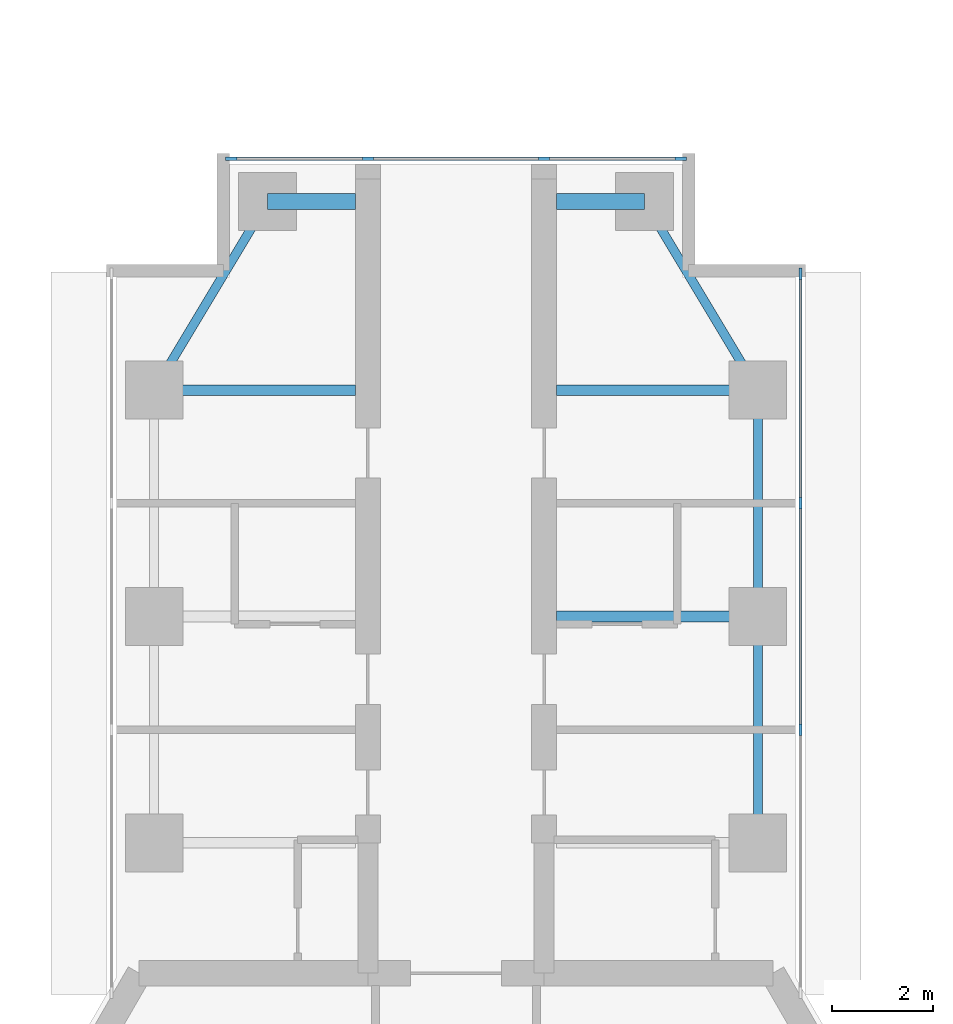
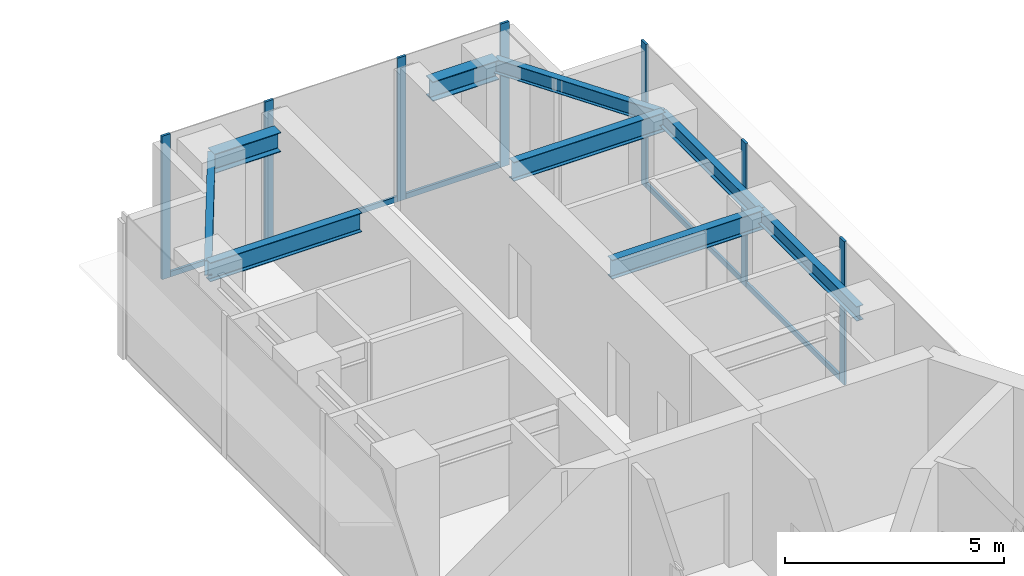
# One storey, part 9 of 17: 12 members, 9 beams, 2 elements without a shape of their own.
"""IFC4 building model written with IfcOpenShell, lengths in metres."""

import ifcopenshell
import ifcopenshell.guid

model = None  # the IFC model being written
_history = None  # IfcOwnerHistory: only IFC2X3 demands one
_inside = {}  # id of a spatial element -> (the spatial element, [elements in it])
_under = {}  # id of a project, library or spatial element -> (it, [spatial elements below it])
_declared = {}  # id of a project -> (the project, [libraries it declares])
_typed = {}  # id of a type object -> (the type object, [elements of that type])
_made_of = {}  # id of a material, layer set ... -> (it, [elements and type objects made of it])


def new_model(schema):
    """Start an empty IFC model of exactly this schema.

    Asked for "IFC4X3", IfcOpenShell would pick the latest addendum, in which some entities
    have other attributes; the version numbers below select the first issue.
    IFC2X3 requires an IfcOwnerHistory on every rooted entity: one is made here for all.
    """
    global model, _history
    if schema == "IFC4X3":
        model = ifcopenshell.file(schema_version=(4, 3, 0, 0))
    else:
        model = ifcopenshell.file(schema=schema)
    _inside.clear()
    _under.clear()
    _declared.clear()
    _typed.clear()
    _made_of.clear()
    _history = None
    if model.schema == "IFC2X3":
        org = make("IfcOrganization", Name="unknown")
        user = make(
            "IfcPersonAndOrganization",
            ThePerson=make("IfcPerson", FamilyName="unknown"),
            TheOrganization=org,
        )
        app = make(
            "IfcApplication",
            ApplicationDeveloper=org,
            Version="unknown",
            ApplicationFullName="unknown",
            ApplicationIdentifier="unknown",
        )
        _history = make(
            "IfcOwnerHistory",
            OwningUser=user,
            OwningApplication=app,
            ChangeAction="ADDED",
            CreationDate=0,
        )
    return model


def make(cls, **values):
    """One entity of the class cls with the attributes given. An attribute that is None is left unset."""
    return model.create_entity(
        cls, **{name: value for name, value in values.items() if value is not None}
    )


def rooted(cls, **values):
    """An entity with a GlobalId (a new one), such as an element, a storey or a relation."""
    return make(cls, GlobalId=ifcopenshell.guid.new(), OwnerHistory=_history, **values)


def si_unit(unit_type, name, prefix=None):
    """IfcSIUnit, for example si_unit("LENGTHUNIT", "METRE", prefix="MILLI")."""
    return make("IfcSIUnit", UnitType=unit_type, Prefix=prefix, Name=name)


def assignment(units):
    """IfcUnitAssignment: the units of a project."""
    return None if units is None else make("IfcUnitAssignment", Units=units)


def point(xyz):
    """IfcCartesianPoint."""
    return None if xyz is None else make("IfcCartesianPoint", Coordinates=xyz)


def direction(xyz):
    """IfcDirection."""
    return None if xyz is None else make("IfcDirection", DirectionRatios=xyz)


def frame(location, z_axis=None, x_axis=None):
    """IfcAxis2Placement3D, a coordinate frame: its origin and axes. An axis left out is left unset."""
    return make(
        "IfcAxis2Placement3D",
        Location=point(location),
        Axis=direction(z_axis),
        RefDirection=direction(x_axis),
    )


def frame_2d(location, x_axis=None):
    """IfcAxis2Placement2D, a coordinate frame in the plane: its origin and x axis."""
    return make(
        "IfcAxis2Placement2D", Location=point(location), RefDirection=direction(x_axis)
    )


def origin():
    """The frame at (0, 0, 0) with its axes left unset."""
    return frame((0.0, 0.0, 0.0))


def origin_2d():
    """The frame at (0, 0) in the plane with its x axis left unset."""
    return frame_2d((0.0, 0.0))


def place(relative_to, where):
    """IfcLocalPlacement: puts the frame where relative to a parent placement (None: the world)."""
    return make(
        "IfcLocalPlacement", PlacementRelTo=relative_to, RelativePlacement=where
    )


def context(
    kind, dimensions, precision=None, world=None, true_north=None, identifier=None
):
    """IfcGeometricRepresentationContext, for example the 3D "Model" context."""
    return make(
        "IfcGeometricRepresentationContext",
        ContextIdentifier=identifier,
        ContextType=kind,
        CoordinateSpaceDimension=dimensions,
        Precision=precision,
        WorldCoordinateSystem=world,
        TrueNorth=true_north,
    )


def subcontext(parent, identifier, kind, view, scale=None):
    """IfcGeometricRepresentationSubContext, for example "Body" below "Model"."""
    return make(
        "IfcGeometricRepresentationSubContext",
        ContextIdentifier=identifier,
        ContextType=kind,
        ParentContext=parent,
        TargetScale=scale,
        TargetView=view,
    )


def project(units=None, contexts=None):
    """IfcProject with its units and contexts."""
    return rooted(
        "IfcProject",
        Name="project",
        RepresentationContexts=contexts,
        UnitsInContext=assignment(units),
    )


def spatial(cls, under=None, at=None, **own):
    """A site, building, storey or space (cls), placed at a placement, below another one or the project."""
    s = rooted(cls, ObjectPlacement=at, **own)
    if under is not None:
        _under.setdefault(under.id(), (under, []))[1].append(s)
    return s


def profile(cls, at=None, kind="AREA", **sizes):
    """A parametric profile (cls). Its sizes go by their IFC names, for example OverallWidth=200.0."""
    return make(cls, ProfileType=kind, Position=at, **sizes)


def rectangle(**sizes):
    """IfcRectangleProfileDef."""
    return profile("IfcRectangleProfileDef", **sizes)


def i_section(**sizes):
    """IfcIShapeProfileDef."""
    return profile("IfcIShapeProfileDef", **sizes)


def extrude(swept, where, along, depth):
    """IfcExtrudedAreaSolid: the profile swept, set in the frame where, extruded along a direction by depth."""
    return make(
        "IfcExtrudedAreaSolid",
        SweptArea=swept,
        Position=where,
        ExtrudedDirection=direction(along),
        Depth=depth,
    )


def shape(context_of_items, identifier, shape_type, items):
    """IfcShapeRepresentation: the items that make up one representation, for example the "Body"."""
    return make(
        "IfcShapeRepresentation",
        ContextOfItems=context_of_items,
        RepresentationIdentifier=identifier,
        RepresentationType=shape_type,
        Items=items,
    )


def material(Name=None, Category=None):
    """IfcMaterial."""
    return make("IfcMaterial", Name=Name, Category=Category)


def material_profile(
    of_material, cross_section, Name=None, Category=None, Priority=None
):
    """IfcMaterialProfile: a cross section and its material."""
    return make(
        "IfcMaterialProfile",
        Name=Name,
        Material=of_material,
        Profile=cross_section,
        Priority=Priority,
        Category=Category,
    )


def profile_set(profiles, Name=None, composite=None):
    """IfcMaterialProfileSet."""
    return make(
        "IfcMaterialProfileSet",
        Name=Name,
        MaterialProfiles=profiles,
        CompositeProfile=composite,
    )


def made_of(thing, what):
    """Note that an element or type object is made of a material, layer set ...; save() writes the relation."""
    if what is not None:
        _made_of.setdefault(what.id(), (what, []))[1].append(thing)
    return thing


def type_object(cls, material=None, **own):
    """A type object (cls), such as IfcWallType, which elements share."""
    return made_of(rooted(cls, **own), material)


def element(
    cls,
    number,
    at=None,
    inside=None,
    cuts=None,
    type_object=None,
    material=None,
    context=None,
    identifier="Body",
    shape_type=None,
    held_by="IfcProductDefinitionShape",
    body=None,
    shapes=None,
    **own,
):
    """One element of the class cls, such as IfcWall. Its Tag is "e" and its number.

    at: its placement. inside: the storey or other place that contains it. cuts: it is an
    opening in that element (IfcRelVoidsElement). A single representation is given by context,
    identifier, shape_type and body (its items); several are given by shapes. held_by: the class
    of the entity that holds the representations. save() writes the other relations.
    """
    e = rooted(cls, Tag="e%d" % number, ObjectPlacement=at, **own)
    if body is not None:
        shapes = [shape(context, identifier, shape_type, body)]
    if shapes is not None:
        e.Representation = make(held_by, Representations=shapes)
    if inside is not None:
        _inside.setdefault(inside.id(), (inside, []))[1].append(e)
    if cuts is not None:
        rooted(
            "IfcRelVoidsElement", RelatingBuildingElement=cuts, RelatedOpeningElement=e
        )
    if type_object is not None:
        _typed.setdefault(type_object.id(), (type_object, []))[1].append(e)
    return made_of(e, material)


def aggregate(whole, parts):
    """IfcRelAggregates: a whole, such as a stair, and the parts it consists of."""
    return rooted("IfcRelAggregates", RelatingObject=whole, RelatedObjects=parts)


def save(model, path):
    """Write the relations noted so far, then the file.

    IfcRelAggregates (storeys below a building ...), IfcRelContainedInSpatialStructure (elements
    in a storey), IfcRelDefinesByType, IfcRelAssociatesMaterial and IfcRelDeclares: one each for
    every whole, place, type object, material and project.
    """
    for whole, parts in _under.values():
        aggregate(whole, parts)
    for where, things in _inside.values():
        rooted(
            "IfcRelContainedInSpatialStructure",
            RelatedElements=things,
            RelatingStructure=where,
        )
    for kind, things in _typed.values():
        rooted("IfcRelDefinesByType", RelatedObjects=things, RelatingType=kind)
    for what, things in _made_of.values():
        rooted("IfcRelAssociatesMaterial", RelatedObjects=things, RelatingMaterial=what)
    for by, libraries in _declared.values():
        rooted("IfcRelDeclares", RelatingContext=by, RelatedDefinitions=libraries)
    model.write(path)


model = new_model("IFC4")

# Units and contexts
model_context = context("Model", 3, precision=1e-05, world=origin(), true_north=direction((0.0, 1.0)))
body_context = subcontext(model_context, "Body", "Model", "MODEL_VIEW")
ifc_project = project(units=[si_unit("LENGTHUNIT", "METRE"), si_unit("AREAUNIT", "SQUARE_METRE"), si_unit("VOLUMEUNIT", "CUBIC_METRE"), si_unit("PLANEANGLEUNIT", "RADIAN"), si_unit("MASSUNIT", "GRAM", prefix="KILO")], contexts=[model_context])

# Site, building, storey
site_placement = place(None, origin())
site = spatial("IfcSite", under=ifc_project, at=site_placement, CompositionType="ELEMENT")
building_placement = place(site_placement, origin())
building = spatial("IfcBuilding", under=site, at=building_placement, Name="Upepo Twin Towers", CompositionType="ELEMENT")
storey_placement = place(building_placement, frame((0.0, 0.0, 198.5)))
storey = spatial("IfcBuildingStorey", under=building, at=storey_placement, Name="L48", CompositionType="ELEMENT", Elevation=198.5)

# Beams
ifc_material_1 = material(Name="Steel S355", Category="steel")
ifc_material_profile_1 = material_profile(ifc_material_1, i_section(OverallWidth=0.177978515625, OverallDepth=0.406494140625, WebThickness=0.0078125, FlangeThickness=0.0126953125, FilletRadius=0.01025390625, at=origin_2d()), Name="UB 406x178x60")
ifc_profile_set_1 = profile_set([ifc_material_profile_1], Name="Steel S355")
beam_type_1 = type_object("IfcBeamType", Name="Beam UB 406x178x60", PredefinedType="BEAM", material=ifc_profile_set_1)
beam_1_placement = place(storey_placement, frame((52.5, 4.5, 3.5966796875), z_axis=(0.514495755428, 0.857492925713, 0.0), x_axis=(-0.857492925713, 0.514495755428, 0.0)))
element("IfcBeam", 1, at=beam_1_placement, inside=storey, type_object=beam_type_1, Name="T2 nose edge beam AL", PredefinedType="BEAM", context=body_context, shape_type="SweptSolid", body=[
    extrude(i_section(OverallWidth=0.177978515625, OverallDepth=0.406494140625, WebThickness=0.0078125, FlangeThickness=0.0126953125, FilletRadius=0.01025390625, at=origin_2d()), origin(), (0.0, 0.0, 1.0), 4.373291015625),
])
for number, where, z_axis, x_axis, name in (
    (2, (64.5, -4.5, 3.5966796875), (0.0, 1.0, 0.0), (-1.0, 0.0, 0.0), "T2 edge beam AR 13.5-18.0"),
    (3, (64.5, 0.0, 3.5966796875), (0.0, 1.0, 0.0), (-1.0, 0.0, 0.0), "T2 edge beam AR 18.0-22.5"),
):
    element("IfcBeam", number, at=place(storey_placement, frame(where, z_axis=z_axis, x_axis=x_axis)), inside=storey, type_object=beam_type_1, Name=name, PredefinedType="BEAM", context=body_context, shape_type="SweptSolid", body=[
        extrude(i_section(OverallWidth=0.177978515625, OverallDepth=0.406494140625, WebThickness=0.0078125, FlangeThickness=0.0126953125, FilletRadius=0.01025390625, at=origin_2d()), origin(), (0.0, 0.0, 1.0), 4.5),
    ])
beam_2_placement = place(storey_placement, frame((64.5, 4.5, 3.5966796875), z_axis=(-0.514495755428, 0.857492925713, 0.0), x_axis=(-0.857492925713, -0.514495755428, 0.0)))
element("IfcBeam", 4, at=beam_2_placement, inside=storey, type_object=beam_type_1, Name="T2 nose edge beam AR", PredefinedType="BEAM", context=body_context, shape_type="SweptSolid", body=[
    extrude(i_section(OverallWidth=0.177978515625, OverallDepth=0.406494140625, WebThickness=0.0078125, FlangeThickness=0.0126953125, FilletRadius=0.01025390625, at=origin_2d()), origin(), (0.0, 0.0, 1.0), 4.373291015625),
])
ifc_material_2 = material(Name="Steel S355", Category="steel")
ifc_material_profile_2 = material_profile(ifc_material_2, i_section(OverallWidth=0.209228515625, OverallDepth=0.533203125, WebThickness=0.010009765625, FlangeThickness=0.015625, FilletRadius=0.0126953125, at=origin_2d()), Name="UB 533x210x92")
ifc_profile_set_2 = profile_set([ifc_material_profile_2], Name="Steel S355")
beam_type_2 = type_object("IfcBeamType", Name="Beam UB 533x210x92", PredefinedType="BEAM", material=ifc_profile_set_2)
for number, where, z_axis, x_axis, name in (
    (5, (52.5, 4.5, 3.533447265625), (1.0, 0.0, 0.0), (0.0, 1.0, 0.0), "T2 girder AL at 22.5"),
    (6, (64.5, 0.0, 3.533447265625), (-1.0, 0.0, 0.0), (0.0, -1.0, 0.0), "T2 girder AR at 18.0"),
    (7, (64.5, 4.5, 3.533447265625), (-1.0, 0.0, 0.0), (0.0, -1.0, 0.0), "T2 girder AR at 22.5"),
):
    element("IfcBeam", number, at=place(storey_placement, frame(where, z_axis=z_axis, x_axis=x_axis)), inside=storey, type_object=beam_type_2, Name=name, PredefinedType="BEAM", context=body_context, shape_type="SweptSolid", body=[
        extrude(i_section(OverallWidth=0.209228515625, OverallDepth=0.533203125, WebThickness=0.010009765625, FlangeThickness=0.015625, FilletRadius=0.0126953125, at=origin_2d()), origin(), (0.0, 0.0, 1.0), 4.0),
    ])
ifc_material_3 = material(Name="Steel S355", Category="steel")
ifc_material_profile_3 = material_profile(ifc_material_3, i_section(OverallWidth=0.31201171875, OverallDepth=0.54345703125, WebThickness=0.0126953125, FlangeThickness=0.020263671875, FilletRadius=0.0126953125, at=origin_2d()), Name="UB 533x312x150")
ifc_profile_set_3 = profile_set([ifc_material_profile_3], Name="Steel S355")
beam_type_3 = type_object("IfcBeamType", Name="Beam UB 533x312x150", PredefinedType="BEAM", material=ifc_profile_set_3)
for number, where, z_axis, x_axis, name in (
    (8, (54.75, 8.25, 3.5283203125), (1.0, 0.0, 0.0), (0.0, 1.0, 0.0), "T2 nose beam AL"),
    (9, (62.25, 8.25, 3.5283203125), (-1.0, 0.0, 0.0), (0.0, -1.0, 0.0), "T2 nose beam AR"),
):
    element("IfcBeam", number, at=place(storey_placement, frame(where, z_axis=z_axis, x_axis=x_axis)), inside=storey, type_object=beam_type_3, Name=name, PredefinedType="BEAM", context=body_context, shape_type="SweptSolid", body=[
        extrude(i_section(OverallWidth=0.31201171875, OverallDepth=0.54345703125, WebThickness=0.0126953125, FlangeThickness=0.020263671875, FilletRadius=0.0126953125, at=origin_2d()), origin(), (0.0, 0.0, 1.0), 1.75),
    ])

# Curtain wall, members
ifc_material_4 = material(Name="Aluminium and fritted glass", Category="aluminium")
curtain_wall_type = type_object("IfcCurtainWallType", Name="Tower curtain wall TW3, fritted glass", PredefinedType="NOTDEFINED", material=ifc_material_4)
curtain_wall_1_placement = place(storey_placement, origin())
curtain_wall_1 = element("IfcCurtainWall", 10, at=curtain_wall_1_placement, inside=storey, type_object=curtain_wall_type, Name="T2 L48 wing A flank R curtain wall", PredefinedType="NOTDEFINED")
ifc_material_5 = material(Name="Aluminium mullion", Category="aluminium")
ifc_material_profile_4 = material_profile(ifc_material_5, rectangle(XDim=0.06494140625, YDim=0.22509765625, at=origin_2d()), Name="MULLION 65x225")
ifc_profile_set_4 = profile_set([ifc_material_profile_4], Name="Aluminium mullion")
member_type_1 = type_object("IfcMemberType", Name="Mullion 65x225 TW3", PredefinedType="MULLION", material=ifc_profile_set_4)
member_1_placement = place(storey_placement, frame((65.35009765625, 6.8173828125, 0.0), z_axis=(0.0, 0.0, 1.0), x_axis=(1.0, 0.0, 0.0)))
member_1 = element("IfcMember", 11, at=member_1_placement, type_object=member_type_1, Name="T2 L48 wing A flank R curtain wall mullion 1", PredefinedType="MULLION", context=body_context, shape_type="SweptSolid", body=[
    extrude(rectangle(XDim=0.06494140625, YDim=0.22509765625, at=origin_2d()), origin(), (0.0, 0.0, 1.0), 4.0),
])
member_2_placement = place(storey_placement, frame((65.35009765625, 2.25, 0.0), z_axis=(0.0, 0.0, 1.0), x_axis=(1.0, 0.0, 0.0)))
member_2 = element("IfcMember", 12, at=member_2_placement, type_object=member_type_1, Name="T2 L48 wing A flank R curtain wall mullion 2", PredefinedType="MULLION", context=body_context, shape_type="SweptSolid", body=[
    extrude(rectangle(XDim=0.06494140625, YDim=0.22509765625, at=origin_2d()), origin(), (0.0, 0.0, 1.0), 4.0),
])
member_3_placement = place(storey_placement, frame((65.35009765625, -2.25, 0.0), z_axis=(0.0, 0.0, 1.0), x_axis=(1.0, 0.0, 0.0)))
member_3 = element("IfcMember", 13, at=member_3_placement, type_object=member_type_1, Name="T2 L48 wing A flank R curtain wall mullion 3", PredefinedType="MULLION", context=body_context, shape_type="SweptSolid", body=[
    extrude(rectangle(XDim=0.06494140625, YDim=0.22509765625, at=origin_2d()), origin(), (0.0, 0.0, 1.0), 4.0),
])

curtain_wall_2_placement = place(storey_placement, origin())
curtain_wall_2 = element("IfcCurtainWall", 14, at=curtain_wall_2_placement, inside=storey, type_object=curtain_wall_type, Name="T2 L48 wing A nose curtain wall", PredefinedType="NOTDEFINED")
member_4_placement = place(storey_placement, frame((62.967529296875, 9.10009765625, 0.0), z_axis=(0.0, 0.0, 1.0), x_axis=(0.0, -1.0, 0.0)))
member_4 = element("IfcMember", 15, at=member_4_placement, type_object=member_type_1, Name="T2 L48 wing A nose curtain wall mullion 1", PredefinedType="MULLION", context=body_context, shape_type="SweptSolid", body=[
    extrude(rectangle(XDim=0.06494140625, YDim=0.22509765625, at=origin_2d()), origin(), (0.0, 0.0, 1.0), 4.0),
])
member_5_placement = place(storey_placement, frame((60.25, 9.10009765625, 0.0), z_axis=(0.0, 0.0, 1.0), x_axis=(0.0, -1.0, 0.0)))
member_5 = element("IfcMember", 16, at=member_5_placement, type_object=member_type_1, Name="T2 L48 wing A nose curtain wall mullion 2", PredefinedType="MULLION", context=body_context, shape_type="SweptSolid", body=[
    extrude(rectangle(XDim=0.06494140625, YDim=0.22509765625, at=origin_2d()), origin(), (0.0, 0.0, 1.0), 4.0),
])
member_6_placement = place(storey_placement, frame((56.75, 9.10009765625, 0.0), z_axis=(0.0, 0.0, 1.0), x_axis=(0.0, -1.0, 0.0)))
member_6 = element("IfcMember", 17, at=member_6_placement, type_object=member_type_1, Name="T2 L48 wing A nose curtain wall mullion 3", PredefinedType="MULLION", context=body_context, shape_type="SweptSolid", body=[
    extrude(rectangle(XDim=0.06494140625, YDim=0.22509765625, at=origin_2d()), origin(), (0.0, 0.0, 1.0), 4.0),
])
member_7_placement = place(storey_placement, frame((54.032470703125, 9.10009765625, 0.0), z_axis=(0.0, 0.0, 1.0), x_axis=(0.0, -1.0, 0.0)))
member_7 = element("IfcMember", 18, at=member_7_placement, type_object=member_type_1, Name="T2 L48 wing A nose curtain wall mullion 4", PredefinedType="MULLION", context=body_context, shape_type="SweptSolid", body=[
    extrude(rectangle(XDim=0.06494140625, YDim=0.22509765625, at=origin_2d()), origin(), (0.0, 0.0, 1.0), 4.0),
])

# Member
ifc_material_6 = material(Name="Aluminium transom", Category="aluminium")
ifc_material_profile_5 = material_profile(ifc_material_6, rectangle(XDim=0.06494140625, YDim=0.14990234375, at=origin_2d()), Name="TRANSOM 65x150")
ifc_profile_set_5 = profile_set([ifc_material_profile_5], Name="Aluminium transom")
member_type_2 = type_object("IfcMemberType", Name="Transom 65x150 TW3", PredefinedType="USERDEFINED", material=ifc_profile_set_5)
member_8_placement = place(storey_placement, frame((65.35009765625, 6.784912109375, 0.074951171875), z_axis=(0.0, -1.0, 0.0), x_axis=(1.0, 0.0, 0.0)))
member_8 = element("IfcMember", 19, at=member_8_placement, type_object=member_type_2, Name="T2 L48 wing A flank R curtain wall transom 1", ObjectType="TRANSOM", PredefinedType="USERDEFINED", context=body_context, shape_type="SweptSolid", body=[
    extrude(rectangle(XDim=0.06494140625, YDim=0.14990234375, at=origin_2d()), origin(), (0.0, 0.0, 1.0), 4.50244140625),
])

member_9_placement = place(storey_placement, frame((65.35009765625, 2.217529296875, 0.074951171875), z_axis=(0.0, -1.0, 0.0), x_axis=(1.0, 0.0, 0.0)))
member_9 = element("IfcMember", 20, at=member_9_placement, type_object=member_type_2, Name="T2 L48 wing A flank R curtain wall transom 2", ObjectType="TRANSOM", PredefinedType="USERDEFINED", context=body_context, shape_type="SweptSolid", body=[
    extrude(rectangle(XDim=0.06494140625, YDim=0.14990234375, at=origin_2d()), origin(), (0.0, 0.0, 1.0), 4.43505859375),
])

aggregate(curtain_wall_1, [member_1, member_2, member_3, member_8, member_9])

member_10_placement = place(storey_placement, frame((62.93505859375, 9.10009765625, 0.074951171875), z_axis=(-1.0, 0.0, 0.0), x_axis=(0.0, -1.0, 0.0)))
member_10 = element("IfcMember", 21, at=member_10_placement, type_object=member_type_2, Name="T2 L48 wing A nose curtain wall transom 1", ObjectType="TRANSOM", PredefinedType="USERDEFINED", context=body_context, shape_type="SweptSolid", body=[
    extrude(rectangle(XDim=0.06494140625, YDim=0.14990234375, at=origin_2d()), origin(), (0.0, 0.0, 1.0), 2.652587890625),
])

member_11_placement = place(storey_placement, frame((60.217529296875, 9.10009765625, 0.074951171875), z_axis=(-1.0, 0.0, 0.0), x_axis=(0.0, -1.0, 0.0)))
member_11 = element("IfcMember", 22, at=member_11_placement, type_object=member_type_2, Name="T2 L48 wing A nose curtain wall transom 2", ObjectType="TRANSOM", PredefinedType="USERDEFINED", context=body_context, shape_type="SweptSolid", body=[
    extrude(rectangle(XDim=0.06494140625, YDim=0.14990234375, at=origin_2d()), origin(), (0.0, 0.0, 1.0), 3.43505859375),
])

member_12_placement = place(storey_placement, frame((56.717529296875, 9.10009765625, 0.074951171875), z_axis=(-1.0, 0.0, 0.0), x_axis=(0.0, -1.0, 0.0)))
member_12 = element("IfcMember", 23, at=member_12_placement, type_object=member_type_2, Name="T2 L48 wing A nose curtain wall transom 3", ObjectType="TRANSOM", PredefinedType="USERDEFINED", context=body_context, shape_type="SweptSolid", body=[
    extrude(rectangle(XDim=0.06494140625, YDim=0.14990234375, at=origin_2d()), origin(), (0.0, 0.0, 1.0), 2.652587890625),
])

aggregate(curtain_wall_2, [member_4, member_5, member_6, member_7, member_10, member_11, member_12])

save(model, "model.ifc")
